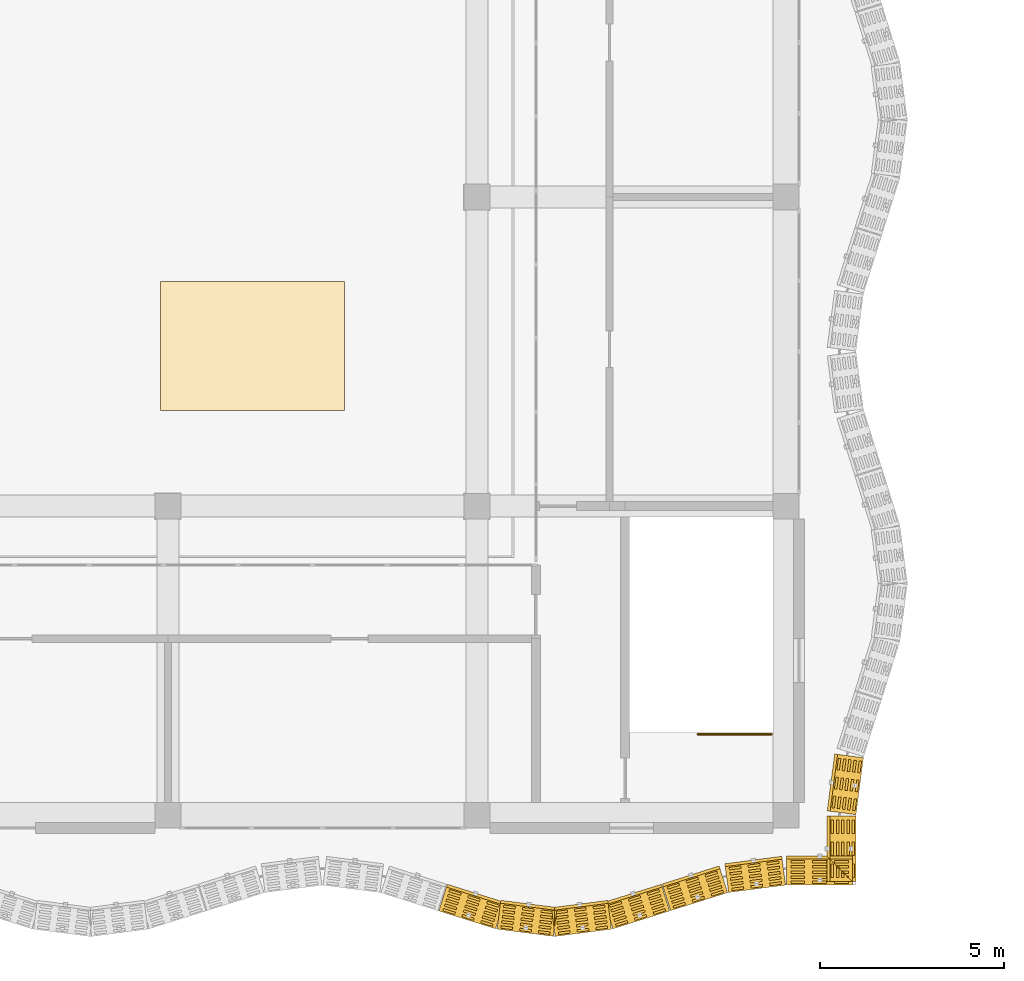
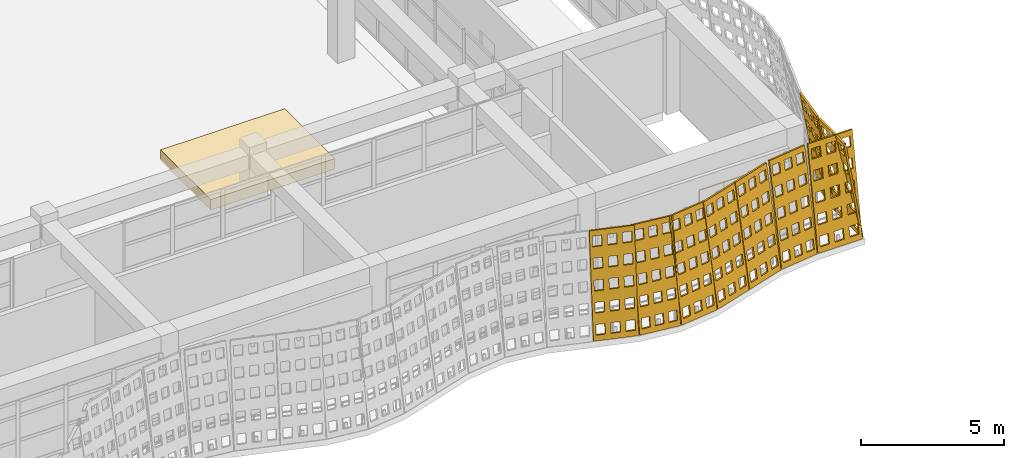
# One storey, part 76 of 85: 10 coverings, 1 railing.
"""IFC4 building model written with IfcOpenShell, lengths in metres."""

from ifc_helpers import new_model, si_unit, direction, frame, origin, origin_2d, place, context, subcontext, project, spatial, polyline, circle, outline, extrude, material, layer, layer_set, type_object, element, save


model = new_model("IFC4")

# Units and contexts
model_context = context("Model", 3, precision=1e-05, world=origin(), true_north=direction((0.0, 1.0)))
body_context = subcontext(model_context, "Body", "Model", "MODEL_VIEW")
ifc_project = project(units=[si_unit("LENGTHUNIT", "METRE"), si_unit("AREAUNIT", "SQUARE_METRE"), si_unit("VOLUMEUNIT", "CUBIC_METRE"), si_unit("PLANEANGLEUNIT", "RADIAN"), si_unit("MASSUNIT", "GRAM", prefix="KILO")], contexts=[model_context])

# Site, building, storey
site_placement = place(None, origin())
site = spatial("IfcSite", under=ifc_project, at=site_placement, CompositionType="ELEMENT")
building_placement = place(site_placement, origin())
building = spatial("IfcBuilding", under=site, at=building_placement, Name="Rain Tree Exposition and Congress Centre", CompositionType="ELEMENT")
storey_placement = place(building_placement, frame((0.0, 0.0, 15.0)))
storey = spatial("IfcBuildingStorey", under=building, at=storey_placement, Name="L03", CompositionType="ELEMENT", Elevation=15.0)

# Coverings
ifc_material_1 = material(Name="Perforated terracotta", Category="masonry")
ifc_layer_1 = layer(ifc_material_1, 0.080078125)
ifc_layer_set_1 = layer_set([ifc_layer_1], Name="Perforated terracotta")
covering_type_1 = type_object("IfcCoveringType", Name="Terracotta screen 80", PredefinedType="CLADDING", material=ifc_layer_set_1)
covering_1_placement = place(storey_placement, frame((40.95068359375, -2.598388671875, 0.0126953125), z_axis=(0.295717964052, 0.942029390639, -0.158529217842), x_axis=(-0.954094597562, 0.29950542383, 0.0)))
element("IfcCovering", 1, at=covering_1_placement, inside=storey, type_object=covering_type_1, Name="wing/screen/L03/027", PredefinedType="CLADDING", context=body_context, shape_type="SweptSolid", body=[
    extrude(outline(polyline([(-1.62890625, 0.0), (-1.62890625, 4.291259765625), (-0.014892578125, 4.291259765625), (-0.014892578125, 0.0), (-1.62890625, 0.0)]), holes=[polyline([(-0.1171875, 0.221435546875), (-0.1171875, 0.63671875), (-0.45068359375, 0.63671875), (-0.45068359375, 0.221435546875), (-0.1171875, 0.221435546875)]), polyline([(-0.1171875, 1.07958984375), (-0.1171875, 1.4951171875), (-0.45068359375, 1.4951171875), (-0.45068359375, 1.07958984375), (-0.1171875, 1.07958984375)]), polyline([(-0.1171875, 1.93798828125), (-0.1171875, 2.353271484375), (-0.45068359375, 2.353271484375), (-0.45068359375, 1.93798828125), (-0.1171875, 1.93798828125)]), polyline([(-0.1171875, 2.796142578125), (-0.1171875, 3.21142578125), (-0.45068359375, 3.21142578125), (-0.45068359375, 2.796142578125), (-0.1171875, 2.796142578125)]), polyline([(-0.1171875, 3.654541015625), (-0.1171875, 4.06982421875), (-0.45068359375, 4.06982421875), (-0.45068359375, 3.654541015625), (-0.1171875, 3.654541015625)]), polyline([(-0.6552734375, 0.221435546875), (-0.6552734375, 0.63671875), (-0.98876953125, 0.63671875), (-0.98876953125, 0.221435546875), (-0.6552734375, 0.221435546875)]), polyline([(-0.6552734375, 1.07958984375), (-0.6552734375, 1.4951171875), (-0.98876953125, 1.4951171875), (-0.98876953125, 1.07958984375), (-0.6552734375, 1.07958984375)]), polyline([(-0.6552734375, 1.93798828125), (-0.6552734375, 2.353271484375), (-0.98876953125, 2.353271484375), (-0.98876953125, 1.93798828125), (-0.6552734375, 1.93798828125)]), polyline([(-0.6552734375, 2.796142578125), (-0.6552734375, 3.21142578125), (-0.98876953125, 3.21142578125), (-0.98876953125, 2.796142578125), (-0.6552734375, 2.796142578125)]), polyline([(-0.6552734375, 3.654541015625), (-0.6552734375, 4.06982421875), (-0.98876953125, 4.06982421875), (-0.98876953125, 3.654541015625), (-0.6552734375, 3.654541015625)]), polyline([(-1.193115234375, 0.221435546875), (-1.193115234375, 0.63671875), (-1.526611328125, 0.63671875), (-1.526611328125, 0.221435546875), (-1.193115234375, 0.221435546875)]), polyline([(-1.193115234375, 1.07958984375), (-1.193115234375, 1.4951171875), (-1.526611328125, 1.4951171875), (-1.526611328125, 1.07958984375), (-1.193115234375, 1.07958984375)]), polyline([(-1.193115234375, 1.93798828125), (-1.193115234375, 2.353271484375), (-1.526611328125, 2.353271484375), (-1.526611328125, 1.93798828125), (-1.193115234375, 1.93798828125)]), polyline([(-1.193115234375, 2.796142578125), (-1.193115234375, 3.21142578125), (-1.526611328125, 3.21142578125), (-1.526611328125, 2.796142578125), (-1.193115234375, 2.796142578125)]), polyline([(-1.193115234375, 3.654541015625), (-1.193115234375, 4.06982421875), (-1.526611328125, 4.06982421875), (-1.526611328125, 3.654541015625), (-1.193115234375, 3.654541015625)])]), origin(), (0.0, 0.0, 1.0), 0.080078125),
])
covering_2_placement = place(storey_placement, frame((42.525390625, -3.093017578125, 0.01318359375), z_axis=(0.125342414455, 0.978282259159, -0.165085131233), x_axis=(-0.991891686382, 0.127086122318, 0.0)))
element("IfcCovering", 2, at=covering_2_placement, inside=storey, type_object=covering_type_1, Name="wing/screen/L03/028", PredefinedType="CLADDING", context=body_context, shape_type="SweptSolid", body=[
    extrude(outline(polyline([(-1.56298828125, 0.0), (-1.56298828125, 4.295166015625), (-0.02197265625, 4.295166015625), (-0.02197265625, 0.0), (-1.56298828125, 0.0)]), holes=[polyline([(-0.11962890625, 0.2216796875), (-0.11962890625, 0.63720703125), (-0.43798828125, 0.63720703125), (-0.43798828125, 0.2216796875), (-0.11962890625, 0.2216796875)]), polyline([(-0.11962890625, 1.080810546875), (-0.11962890625, 1.496337890625), (-0.43798828125, 1.496337890625), (-0.43798828125, 1.080810546875), (-0.11962890625, 1.080810546875)]), polyline([(-0.11962890625, 1.939697265625), (-0.11962890625, 2.35546875), (-0.43798828125, 2.35546875), (-0.43798828125, 1.939697265625), (-0.11962890625, 1.939697265625)]), polyline([(-0.11962890625, 2.798583984375), (-0.11962890625, 3.21435546875), (-0.43798828125, 3.21435546875), (-0.43798828125, 2.798583984375), (-0.11962890625, 2.798583984375)]), polyline([(-0.11962890625, 3.65771484375), (-0.11962890625, 4.073486328125), (-0.43798828125, 4.073486328125), (-0.43798828125, 3.65771484375), (-0.11962890625, 3.65771484375)]), polyline([(-0.63330078125, 0.2216796875), (-0.63330078125, 0.63720703125), (-0.95166015625, 0.63720703125), (-0.95166015625, 0.2216796875), (-0.63330078125, 0.2216796875)]), polyline([(-0.63330078125, 1.080810546875), (-0.63330078125, 1.496337890625), (-0.95166015625, 1.496337890625), (-0.95166015625, 1.080810546875), (-0.63330078125, 1.080810546875)]), polyline([(-0.63330078125, 1.939697265625), (-0.63330078125, 2.35546875), (-0.95166015625, 2.35546875), (-0.95166015625, 1.939697265625), (-0.63330078125, 1.939697265625)]), polyline([(-0.63330078125, 2.798583984375), (-0.63330078125, 3.21435546875), (-0.95166015625, 3.21435546875), (-0.95166015625, 2.798583984375), (-0.63330078125, 2.798583984375)]), polyline([(-0.63330078125, 3.65771484375), (-0.63330078125, 4.073486328125), (-0.95166015625, 4.073486328125), (-0.95166015625, 3.65771484375), (-0.63330078125, 3.65771484375)]), polyline([(-1.146728515625, 0.2216796875), (-1.146728515625, 0.63720703125), (-1.46533203125, 0.63720703125), (-1.46533203125, 0.2216796875), (-1.146728515625, 0.2216796875)]), polyline([(-1.146728515625, 1.080810546875), (-1.146728515625, 1.496337890625), (-1.46533203125, 1.496337890625), (-1.46533203125, 1.080810546875), (-1.146728515625, 1.080810546875)]), polyline([(-1.146728515625, 1.939697265625), (-1.146728515625, 2.35546875), (-1.46533203125, 2.35546875), (-1.46533203125, 1.939697265625), (-1.146728515625, 1.939697265625)]), polyline([(-1.146728515625, 2.798583984375), (-1.146728515625, 3.21435546875), (-1.46533203125, 3.21435546875), (-1.46533203125, 2.798583984375), (-1.146728515625, 2.798583984375)]), polyline([(-1.146728515625, 3.65771484375), (-1.146728515625, 4.073486328125), (-1.46533203125, 4.073486328125), (-1.46533203125, 3.65771484375), (-1.146728515625, 3.65771484375)])]), origin(), (0.0, 0.0, 1.0), 0.079833984375),
])
covering_3_placement = place(storey_placement, frame((44.099609375, -3.298095703125, 0.01318359375), z_axis=(-0.125342414455, 0.978282259159, -0.165085131233), x_axis=(-0.991891686382, -0.127086122318, 0.0)))
element("IfcCovering", 3, at=covering_3_placement, inside=storey, type_object=covering_type_1, Name="wing/screen/L03/029", PredefinedType="CLADDING", context=body_context, shape_type="SweptSolid", body=[
    extrude(outline(polyline([(-1.56640625, 0.0), (-1.56640625, 4.295166015625), (-0.025390625, 4.295166015625), (-0.025390625, 0.0), (-1.56640625, 0.0)]), holes=[polyline([(-0.123046875, 0.2216796875), (-0.123046875, 0.63720703125), (-0.44140625, 0.63720703125), (-0.44140625, 0.2216796875), (-0.123046875, 0.2216796875)]), polyline([(-0.123046875, 1.080810546875), (-0.123046875, 1.496337890625), (-0.44140625, 1.496337890625), (-0.44140625, 1.080810546875), (-0.123046875, 1.080810546875)]), polyline([(-0.123046875, 1.939697265625), (-0.123046875, 2.35546875), (-0.44140625, 2.35546875), (-0.44140625, 1.939697265625), (-0.123046875, 1.939697265625)]), polyline([(-0.123046875, 2.798583984375), (-0.123046875, 3.21435546875), (-0.44140625, 3.21435546875), (-0.44140625, 2.798583984375), (-0.123046875, 2.798583984375)]), polyline([(-0.123046875, 3.65771484375), (-0.123046875, 4.073486328125), (-0.44140625, 4.073486328125), (-0.44140625, 3.65771484375), (-0.123046875, 3.65771484375)]), polyline([(-0.63671875, 0.2216796875), (-0.63671875, 0.63720703125), (-0.955078125, 0.63720703125), (-0.955078125, 0.2216796875), (-0.63671875, 0.2216796875)]), polyline([(-0.63671875, 1.080810546875), (-0.63671875, 1.496337890625), (-0.955078125, 1.496337890625), (-0.955078125, 1.080810546875), (-0.63671875, 1.080810546875)]), polyline([(-0.63671875, 1.939697265625), (-0.63671875, 2.35546875), (-0.955078125, 2.35546875), (-0.955078125, 1.939697265625), (-0.63671875, 1.939697265625)]), polyline([(-0.63671875, 2.798583984375), (-0.63671875, 3.21435546875), (-0.955078125, 3.21435546875), (-0.955078125, 2.798583984375), (-0.63671875, 2.798583984375)]), polyline([(-0.63671875, 3.65771484375), (-0.63671875, 4.073486328125), (-0.955078125, 4.073486328125), (-0.955078125, 3.65771484375), (-0.63671875, 3.65771484375)]), polyline([(-1.150146484375, 0.2216796875), (-1.150146484375, 0.63720703125), (-1.46875, 0.63720703125), (-1.46875, 0.2216796875), (-1.150146484375, 0.2216796875)]), polyline([(-1.150146484375, 1.080810546875), (-1.150146484375, 1.496337890625), (-1.46875, 1.496337890625), (-1.46875, 1.080810546875), (-1.150146484375, 1.080810546875)]), polyline([(-1.150146484375, 1.939697265625), (-1.150146484375, 2.35546875), (-1.46875, 2.35546875), (-1.46875, 1.939697265625), (-1.150146484375, 1.939697265625)]), polyline([(-1.150146484375, 2.798583984375), (-1.150146484375, 3.21435546875), (-1.46875, 3.21435546875), (-1.46875, 2.798583984375), (-1.150146484375, 2.798583984375)]), polyline([(-1.150146484375, 3.65771484375), (-1.150146484375, 4.073486328125), (-1.46875, 4.073486328125), (-1.46875, 3.65771484375), (-1.150146484375, 3.65771484375)])]), origin(), (0.0, 0.0, 1.0), 0.079833984375),
])
covering_4_placement = place(storey_placement, frame((45.67431640625, -3.093505859375, 0.0126953125), z_axis=(-0.295717964052, 0.942029390639, -0.158529217842), x_axis=(-0.954094597562, -0.29950542383, 0.0)))
element("IfcCovering", 4, at=covering_4_placement, inside=storey, type_object=covering_type_1, Name="wing/screen/L03/030", PredefinedType="CLADDING", context=body_context, shape_type="SweptSolid", body=[
    extrude(outline(polyline([(-1.635986328125, 0.0), (-1.635986328125, 4.291259765625), (-0.02197265625, 4.291259765625), (-0.02197265625, 0.0), (-1.635986328125, 0.0)]), holes=[polyline([(-0.124267578125, 0.221435546875), (-0.124267578125, 0.63671875), (-0.457763671875, 0.63671875), (-0.457763671875, 0.221435546875), (-0.124267578125, 0.221435546875)]), polyline([(-0.124267578125, 1.07958984375), (-0.124267578125, 1.4951171875), (-0.457763671875, 1.4951171875), (-0.457763671875, 1.07958984375), (-0.124267578125, 1.07958984375)]), polyline([(-0.124267578125, 1.93798828125), (-0.124267578125, 2.353271484375), (-0.457763671875, 2.353271484375), (-0.457763671875, 1.93798828125), (-0.124267578125, 1.93798828125)]), polyline([(-0.124267578125, 2.796142578125), (-0.124267578125, 3.21142578125), (-0.457763671875, 3.21142578125), (-0.457763671875, 2.796142578125), (-0.124267578125, 2.796142578125)]), polyline([(-0.124267578125, 3.654541015625), (-0.124267578125, 4.06982421875), (-0.457763671875, 4.06982421875), (-0.457763671875, 3.654541015625), (-0.124267578125, 3.654541015625)]), polyline([(-0.662109375, 0.221435546875), (-0.662109375, 0.63671875), (-0.995849609375, 0.63671875), (-0.995849609375, 0.221435546875), (-0.662109375, 0.221435546875)]), polyline([(-0.662109375, 1.07958984375), (-0.662109375, 1.4951171875), (-0.995849609375, 1.4951171875), (-0.995849609375, 1.07958984375), (-0.662109375, 1.07958984375)]), polyline([(-0.662109375, 1.93798828125), (-0.662109375, 2.353271484375), (-0.995849609375, 2.353271484375), (-0.995849609375, 1.93798828125), (-0.662109375, 1.93798828125)]), polyline([(-0.662109375, 2.796142578125), (-0.662109375, 3.21142578125), (-0.995849609375, 3.21142578125), (-0.995849609375, 2.796142578125), (-0.662109375, 2.796142578125)]), polyline([(-0.662109375, 3.654541015625), (-0.662109375, 4.06982421875), (-0.995849609375, 4.06982421875), (-0.995849609375, 3.654541015625), (-0.662109375, 3.654541015625)]), polyline([(-1.2001953125, 0.221435546875), (-1.2001953125, 0.63671875), (-1.53369140625, 0.63671875), (-1.53369140625, 0.221435546875), (-1.2001953125, 0.221435546875)]), polyline([(-1.2001953125, 1.07958984375), (-1.2001953125, 1.4951171875), (-1.53369140625, 1.4951171875), (-1.53369140625, 1.07958984375), (-1.2001953125, 1.07958984375)]), polyline([(-1.2001953125, 1.93798828125), (-1.2001953125, 2.353271484375), (-1.53369140625, 2.353271484375), (-1.53369140625, 1.93798828125), (-1.2001953125, 1.93798828125)]), polyline([(-1.2001953125, 2.796142578125), (-1.2001953125, 3.21142578125), (-1.53369140625, 3.21142578125), (-1.53369140625, 2.796142578125), (-1.2001953125, 2.796142578125)]), polyline([(-1.2001953125, 3.654541015625), (-1.2001953125, 4.06982421875), (-1.53369140625, 4.06982421875), (-1.53369140625, 3.654541015625), (-1.2001953125, 3.654541015625)])]), origin(), (0.0, 0.0, 1.0), 0.080078125),
])
covering_5_placement = place(storey_placement, frame((47.24951171875, -2.598388671875, 0.0126953125), z_axis=(-0.298496232686, 0.941176896939, -0.158385756119), x_axis=(-0.953208958144, -0.302312226207, 0.0)))
element("IfcCovering", 5, at=covering_5_placement, inside=storey, type_object=covering_type_1, Name="wing/screen/L03/031", PredefinedType="CLADDING", context=body_context, shape_type="SweptSolid", body=[
    extrude(outline(polyline([(-1.635986328125, 0.0), (-1.635986328125, 4.291259765625), (-0.014892578125, 4.291259765625), (-0.014892578125, 0.0), (-1.635986328125, 0.0)]), holes=[polyline([(-0.11767578125, 0.221435546875), (-0.11767578125, 0.63671875), (-0.45263671875, 0.63671875), (-0.45263671875, 0.221435546875), (-0.11767578125, 0.221435546875)]), polyline([(-0.11767578125, 1.07958984375), (-0.11767578125, 1.4951171875), (-0.45263671875, 1.4951171875), (-0.45263671875, 1.07958984375), (-0.11767578125, 1.07958984375)]), polyline([(-0.11767578125, 1.93798828125), (-0.11767578125, 2.353271484375), (-0.45263671875, 2.353271484375), (-0.45263671875, 1.93798828125), (-0.11767578125, 1.93798828125)]), polyline([(-0.11767578125, 2.796142578125), (-0.11767578125, 3.21142578125), (-0.45263671875, 3.21142578125), (-0.45263671875, 2.796142578125), (-0.11767578125, 2.796142578125)]), polyline([(-0.11767578125, 3.654541015625), (-0.11767578125, 4.06982421875), (-0.45263671875, 4.06982421875), (-0.45263671875, 3.654541015625), (-0.11767578125, 3.654541015625)]), polyline([(-0.657958984375, 0.221435546875), (-0.657958984375, 0.63671875), (-0.992919921875, 0.63671875), (-0.992919921875, 0.221435546875), (-0.657958984375, 0.221435546875)]), polyline([(-0.657958984375, 1.07958984375), (-0.657958984375, 1.4951171875), (-0.992919921875, 1.4951171875), (-0.992919921875, 1.07958984375), (-0.657958984375, 1.07958984375)]), polyline([(-0.657958984375, 1.93798828125), (-0.657958984375, 2.353271484375), (-0.992919921875, 2.353271484375), (-0.992919921875, 1.93798828125), (-0.657958984375, 1.93798828125)]), polyline([(-0.657958984375, 2.796142578125), (-0.657958984375, 3.21142578125), (-0.992919921875, 3.21142578125), (-0.992919921875, 2.796142578125), (-0.657958984375, 2.796142578125)]), polyline([(-0.657958984375, 3.654541015625), (-0.657958984375, 4.06982421875), (-0.992919921875, 4.06982421875), (-0.992919921875, 3.654541015625), (-0.657958984375, 3.654541015625)]), polyline([(-1.1982421875, 0.221435546875), (-1.1982421875, 0.63671875), (-1.533203125, 0.63671875), (-1.533203125, 0.221435546875), (-1.1982421875, 0.221435546875)]), polyline([(-1.1982421875, 1.07958984375), (-1.1982421875, 1.4951171875), (-1.533203125, 1.4951171875), (-1.533203125, 1.07958984375), (-1.1982421875, 1.07958984375)]), polyline([(-1.1982421875, 1.93798828125), (-1.1982421875, 2.353271484375), (-1.533203125, 2.353271484375), (-1.533203125, 1.93798828125), (-1.1982421875, 1.93798828125)]), polyline([(-1.1982421875, 2.796142578125), (-1.1982421875, 3.21142578125), (-1.533203125, 3.21142578125), (-1.533203125, 2.796142578125), (-1.1982421875, 2.796142578125)]), polyline([(-1.1982421875, 3.654541015625), (-1.1982421875, 4.06982421875), (-1.533203125, 4.06982421875), (-1.533203125, 3.654541015625), (-1.1982421875, 3.654541015625)])]), origin(), (0.0, 0.0, 1.0), 0.080078125),
])
covering_6_placement = place(storey_placement, frame((48.82470703125, -2.10302734375, 0.01318359375), z_axis=(-0.128349774249, 0.9779030419, -0.165021138321), x_axis=(-0.991496427865, -0.130133906157, 0.0)))
element("IfcCovering", 6, at=covering_6_placement, inside=storey, type_object=covering_type_1, Name="wing/screen/L03/032", PredefinedType="CLADDING", context=body_context, shape_type="SweptSolid", body=[
    extrude(outline(polyline([(-1.5732421875, 0.0), (-1.5732421875, 4.295166015625), (-0.014892578125, 4.295166015625), (-0.014892578125, 0.0), (-1.5732421875, 0.0)]), holes=[polyline([(-0.11376953125, 0.2216796875), (-0.11376953125, 0.63720703125), (-0.435791015625, 0.63720703125), (-0.435791015625, 0.2216796875), (-0.11376953125, 0.2216796875)]), polyline([(-0.11376953125, 1.080810546875), (-0.11376953125, 1.496337890625), (-0.435791015625, 1.496337890625), (-0.435791015625, 1.080810546875), (-0.11376953125, 1.080810546875)]), polyline([(-0.11376953125, 1.939697265625), (-0.11376953125, 2.35546875), (-0.435791015625, 2.35546875), (-0.435791015625, 1.939697265625), (-0.11376953125, 1.939697265625)]), polyline([(-0.11376953125, 2.798583984375), (-0.11376953125, 3.21435546875), (-0.435791015625, 3.21435546875), (-0.435791015625, 2.798583984375), (-0.11376953125, 2.798583984375)]), polyline([(-0.11376953125, 3.65771484375), (-0.11376953125, 4.073486328125), (-0.435791015625, 4.073486328125), (-0.435791015625, 3.65771484375), (-0.11376953125, 3.65771484375)]), polyline([(-0.633056640625, 0.2216796875), (-0.633056640625, 0.63720703125), (-0.955078125, 0.63720703125), (-0.955078125, 0.2216796875), (-0.633056640625, 0.2216796875)]), polyline([(-0.633056640625, 1.080810546875), (-0.633056640625, 1.496337890625), (-0.955078125, 1.496337890625), (-0.955078125, 1.080810546875), (-0.633056640625, 1.080810546875)]), polyline([(-0.633056640625, 1.939697265625), (-0.633056640625, 2.35546875), (-0.955078125, 2.35546875), (-0.955078125, 1.939697265625), (-0.633056640625, 1.939697265625)]), polyline([(-0.633056640625, 2.798583984375), (-0.633056640625, 3.21435546875), (-0.955078125, 3.21435546875), (-0.955078125, 2.798583984375), (-0.633056640625, 2.798583984375)]), polyline([(-0.633056640625, 3.65771484375), (-0.633056640625, 4.073486328125), (-0.955078125, 4.073486328125), (-0.955078125, 3.65771484375), (-0.633056640625, 3.65771484375)]), polyline([(-1.152587890625, 0.2216796875), (-1.152587890625, 0.63720703125), (-1.474609375, 0.63720703125), (-1.474609375, 0.2216796875), (-1.152587890625, 0.2216796875)]), polyline([(-1.152587890625, 1.080810546875), (-1.152587890625, 1.496337890625), (-1.474609375, 1.496337890625), (-1.474609375, 1.080810546875), (-1.152587890625, 1.080810546875)]), polyline([(-1.152587890625, 1.939697265625), (-1.152587890625, 2.35546875), (-1.474609375, 2.35546875), (-1.474609375, 1.939697265625), (-1.152587890625, 1.939697265625)]), polyline([(-1.152587890625, 2.798583984375), (-1.152587890625, 3.21435546875), (-1.474609375, 3.21435546875), (-1.474609375, 2.798583984375), (-1.152587890625, 2.798583984375)]), polyline([(-1.152587890625, 3.65771484375), (-1.152587890625, 4.073486328125), (-1.474609375, 4.073486328125), (-1.474609375, 3.65771484375), (-1.152587890625, 3.65771484375)])]), origin(), (0.0, 0.0, 1.0), 0.079833984375),
])
covering_7_placement = place(storey_placement, frame((50.39990234375, -1.898193359375, 0.01318359375), z_axis=(0.0, 0.986393923832, -0.164398987305), x_axis=(-1.0, 0.0, 0.0)))
element("IfcCovering", 7, at=covering_7_placement, inside=storey, type_object=covering_type_1, Name="wing/screen/L03/033", PredefinedType="CLADDING", context=body_context, shape_type="SweptSolid", body=[
    extrude(outline(polyline([(-1.805419921875, 0.0), (-1.805419921875, 4.2958984375), (-0.014892578125, 4.2958984375), (-0.014892578125, 0.0), (-1.805419921875, 0.0)]), holes=[polyline([(-0.12841796875, 0.2216796875), (-0.12841796875, 0.637451171875), (-0.498291015625, 0.637451171875), (-0.498291015625, 0.2216796875), (-0.12841796875, 0.2216796875)]), polyline([(-0.12841796875, 1.080810546875), (-0.12841796875, 1.49658203125), (-0.498291015625, 1.49658203125), (-0.498291015625, 1.080810546875), (-0.12841796875, 1.080810546875)]), polyline([(-0.12841796875, 1.940185546875), (-0.12841796875, 2.355712890625), (-0.498291015625, 2.355712890625), (-0.498291015625, 1.940185546875), (-0.12841796875, 1.940185546875)]), polyline([(-0.12841796875, 2.79931640625), (-0.12841796875, 3.215087890625), (-0.498291015625, 3.215087890625), (-0.498291015625, 2.79931640625), (-0.12841796875, 2.79931640625)]), polyline([(-0.12841796875, 3.658447265625), (-0.12841796875, 4.07421875), (-0.498291015625, 4.07421875), (-0.498291015625, 3.658447265625), (-0.12841796875, 3.658447265625)]), polyline([(-0.72509765625, 0.2216796875), (-0.72509765625, 0.637451171875), (-1.09521484375, 0.637451171875), (-1.09521484375, 0.2216796875), (-0.72509765625, 0.2216796875)]), polyline([(-0.72509765625, 1.080810546875), (-0.72509765625, 1.49658203125), (-1.09521484375, 1.49658203125), (-1.09521484375, 1.080810546875), (-0.72509765625, 1.080810546875)]), polyline([(-0.72509765625, 1.940185546875), (-0.72509765625, 2.355712890625), (-1.09521484375, 2.355712890625), (-1.09521484375, 1.940185546875), (-0.72509765625, 1.940185546875)]), polyline([(-0.72509765625, 2.79931640625), (-0.72509765625, 3.215087890625), (-1.09521484375, 3.215087890625), (-1.09521484375, 2.79931640625), (-0.72509765625, 2.79931640625)]), polyline([(-0.72509765625, 3.658447265625), (-0.72509765625, 4.07421875), (-1.09521484375, 4.07421875), (-1.09521484375, 3.658447265625), (-0.72509765625, 3.658447265625)]), polyline([(-1.322021484375, 0.2216796875), (-1.322021484375, 0.637451171875), (-1.69189453125, 0.637451171875), (-1.69189453125, 0.2216796875), (-1.322021484375, 0.2216796875)]), polyline([(-1.322021484375, 1.080810546875), (-1.322021484375, 1.49658203125), (-1.69189453125, 1.49658203125), (-1.69189453125, 1.080810546875), (-1.322021484375, 1.080810546875)]), polyline([(-1.322021484375, 1.940185546875), (-1.322021484375, 2.355712890625), (-1.69189453125, 2.355712890625), (-1.69189453125, 1.940185546875), (-1.322021484375, 1.940185546875)]), polyline([(-1.322021484375, 2.79931640625), (-1.322021484375, 3.215087890625), (-1.69189453125, 3.215087890625), (-1.69189453125, 2.79931640625), (-1.322021484375, 2.79931640625)]), polyline([(-1.322021484375, 3.658447265625), (-1.322021484375, 4.07421875), (-1.69189453125, 4.07421875), (-1.69189453125, 3.658447265625), (-1.322021484375, 3.658447265625)])]), origin(), (0.0, 0.0, 1.0), 0.080078125),
])
covering_8_placement = place(storey_placement, frame((52.298095703125, -1.900390625, 0.01318359375), z_axis=(-0.986311269939, 0.0, -0.1648941442), x_axis=(0.0, -1.0, 0.0)))
element("IfcCovering", 8, at=covering_8_placement, inside=storey, type_object=covering_type_1, Name="wing/screen/L03/034", PredefinedType="CLADDING", context=body_context, shape_type="SweptSolid", body=[
    extrude(outline(polyline([(-1.88525390625, 0.0), (-1.88525390625, 4.2958984375), (-0.094970703125, 4.2958984375), (-0.094970703125, 0.0), (-1.88525390625, 0.0)]), holes=[polyline([(-0.20849609375, 0.2216796875), (-0.20849609375, 0.637451171875), (-0.578369140625, 0.637451171875), (-0.578369140625, 0.2216796875), (-0.20849609375, 0.2216796875)]), polyline([(-0.20849609375, 1.080810546875), (-0.20849609375, 1.49658203125), (-0.578369140625, 1.49658203125), (-0.578369140625, 1.080810546875), (-0.20849609375, 1.080810546875)]), polyline([(-0.20849609375, 1.940185546875), (-0.20849609375, 2.355712890625), (-0.578369140625, 2.355712890625), (-0.578369140625, 1.940185546875), (-0.20849609375, 1.940185546875)]), polyline([(-0.20849609375, 2.79931640625), (-0.20849609375, 3.215087890625), (-0.578369140625, 3.215087890625), (-0.578369140625, 2.79931640625), (-0.20849609375, 2.79931640625)]), polyline([(-0.20849609375, 3.658447265625), (-0.20849609375, 4.07421875), (-0.578369140625, 4.07421875), (-0.578369140625, 3.658447265625), (-0.20849609375, 3.658447265625)]), polyline([(-0.80517578125, 0.2216796875), (-0.80517578125, 0.637451171875), (-1.175048828125, 0.637451171875), (-1.175048828125, 0.2216796875), (-0.80517578125, 0.2216796875)]), polyline([(-0.80517578125, 1.080810546875), (-0.80517578125, 1.49658203125), (-1.175048828125, 1.49658203125), (-1.175048828125, 1.080810546875), (-0.80517578125, 1.080810546875)]), polyline([(-0.80517578125, 1.940185546875), (-0.80517578125, 2.355712890625), (-1.175048828125, 2.355712890625), (-1.175048828125, 1.940185546875), (-0.80517578125, 1.940185546875)]), polyline([(-0.80517578125, 2.79931640625), (-0.80517578125, 3.215087890625), (-1.175048828125, 3.215087890625), (-1.175048828125, 2.79931640625), (-0.80517578125, 2.79931640625)]), polyline([(-0.80517578125, 3.658447265625), (-0.80517578125, 4.07421875), (-1.175048828125, 4.07421875), (-1.175048828125, 3.658447265625), (-0.80517578125, 3.658447265625)]), polyline([(-1.40185546875, 0.2216796875), (-1.40185546875, 0.637451171875), (-1.77197265625, 0.637451171875), (-1.77197265625, 0.2216796875), (-1.40185546875, 0.2216796875)]), polyline([(-1.40185546875, 1.080810546875), (-1.40185546875, 1.49658203125), (-1.77197265625, 1.49658203125), (-1.77197265625, 1.080810546875), (-1.40185546875, 1.080810546875)]), polyline([(-1.40185546875, 1.940185546875), (-1.40185546875, 2.355712890625), (-1.77197265625, 2.355712890625), (-1.77197265625, 1.940185546875), (-1.40185546875, 1.940185546875)]), polyline([(-1.40185546875, 2.79931640625), (-1.40185546875, 3.215087890625), (-1.77197265625, 3.215087890625), (-1.77197265625, 2.79931640625), (-1.40185546875, 2.79931640625)]), polyline([(-1.40185546875, 3.658447265625), (-1.40185546875, 4.07421875), (-1.77197265625, 4.07421875), (-1.77197265625, 3.658447265625), (-1.40185546875, 3.658447265625)])]), origin(), (0.0, 0.0, 1.0), 0.079833984375),
])
covering_9_placement = place(storey_placement, frame((52.298095703125, 0.000244140625, 0.01318359375), z_axis=(-0.9779030419, 0.128349774249, -0.165021138321), x_axis=(-0.130133906157, -0.991496427865, 0.0)))
element("IfcCovering", 9, at=covering_9_placement, inside=storey, type_object=covering_type_1, Name="wing/screen/L03/035", PredefinedType="CLADDING", context=body_context, shape_type="SweptSolid", body=[
    extrude(outline(polyline([(-1.5732421875, 0.0), (-1.5732421875, 4.295166015625), (-0.014892578125, 4.295166015625), (-0.014892578125, 0.0), (-1.5732421875, 0.0)]), holes=[polyline([(-0.11376953125, 0.2216796875), (-0.11376953125, 0.63720703125), (-0.435791015625, 0.63720703125), (-0.435791015625, 0.2216796875), (-0.11376953125, 0.2216796875)]), polyline([(-0.11376953125, 1.080810546875), (-0.11376953125, 1.496337890625), (-0.435791015625, 1.496337890625), (-0.435791015625, 1.080810546875), (-0.11376953125, 1.080810546875)]), polyline([(-0.11376953125, 1.939697265625), (-0.11376953125, 2.35546875), (-0.435791015625, 2.35546875), (-0.435791015625, 1.939697265625), (-0.11376953125, 1.939697265625)]), polyline([(-0.11376953125, 2.798583984375), (-0.11376953125, 3.21435546875), (-0.435791015625, 3.21435546875), (-0.435791015625, 2.798583984375), (-0.11376953125, 2.798583984375)]), polyline([(-0.11376953125, 3.65771484375), (-0.11376953125, 4.073486328125), (-0.435791015625, 4.073486328125), (-0.435791015625, 3.65771484375), (-0.11376953125, 3.65771484375)]), polyline([(-0.633056640625, 0.2216796875), (-0.633056640625, 0.63720703125), (-0.955078125, 0.63720703125), (-0.955078125, 0.2216796875), (-0.633056640625, 0.2216796875)]), polyline([(-0.633056640625, 1.080810546875), (-0.633056640625, 1.496337890625), (-0.955078125, 1.496337890625), (-0.955078125, 1.080810546875), (-0.633056640625, 1.080810546875)]), polyline([(-0.633056640625, 1.939697265625), (-0.633056640625, 2.35546875), (-0.955078125, 2.35546875), (-0.955078125, 1.939697265625), (-0.633056640625, 1.939697265625)]), polyline([(-0.633056640625, 2.798583984375), (-0.633056640625, 3.21435546875), (-0.955078125, 3.21435546875), (-0.955078125, 2.798583984375), (-0.633056640625, 2.798583984375)]), polyline([(-0.633056640625, 3.65771484375), (-0.633056640625, 4.073486328125), (-0.955078125, 4.073486328125), (-0.955078125, 3.65771484375), (-0.633056640625, 3.65771484375)]), polyline([(-1.152587890625, 0.2216796875), (-1.152587890625, 0.63720703125), (-1.474609375, 0.63720703125), (-1.474609375, 0.2216796875), (-1.152587890625, 0.2216796875)]), polyline([(-1.152587890625, 1.080810546875), (-1.152587890625, 1.496337890625), (-1.474609375, 1.496337890625), (-1.474609375, 1.080810546875), (-1.152587890625, 1.080810546875)]), polyline([(-1.152587890625, 1.939697265625), (-1.152587890625, 2.35546875), (-1.474609375, 2.35546875), (-1.474609375, 1.939697265625), (-1.152587890625, 1.939697265625)]), polyline([(-1.152587890625, 2.798583984375), (-1.152587890625, 3.21435546875), (-1.474609375, 3.21435546875), (-1.474609375, 2.798583984375), (-1.152587890625, 2.798583984375)]), polyline([(-1.152587890625, 3.65771484375), (-1.152587890625, 4.073486328125), (-1.474609375, 4.073486328125), (-1.474609375, 3.65771484375), (-1.152587890625, 3.65771484375)])]), origin(), (0.0, 0.0, 1.0), 0.079833984375),
])
ifc_material_2 = material(Name="Planting soil", Category="soil")
ifc_layer_2 = layer(ifc_material_2, 0.449951171875)
ifc_layer_set_2 = layer_set([ifc_layer_2], Name="Planting soil")
covering_type_2 = type_object("IfcCoveringType", Name="Wing court planting bed 450", PredefinedType="FLOORING", material=ifc_layer_set_2)
covering_10_placement = place(storey_placement, origin())
element("IfcCovering", 10, at=covering_10_placement, inside=storey, type_object=covering_type_2, Name="Planting bed 2", PredefinedType="FLOORING", context=body_context, shape_type="SweptSolid", body=[
    extrude(outline(polyline([(33.39990234375, 11.0), (38.39990234375, 11.0), (38.39990234375, 14.5), (33.39990234375, 14.5), (33.39990234375, 11.0)])), origin(), (0.0, 0.0, 1.0), 0.449951171875),
])

# Railing
ifc_material_3 = material(Name="Steel S355J2H", Category="steel")
railing_type = type_object("IfcRailingType", Name="Wing stair guard 1100", PredefinedType="GUARDRAIL", material=ifc_material_3)
railing_placement = place(storey_placement, frame((50.0, 2.199951171875, 0.0)))
element("IfcRailing", 11, at=railing_placement, inside=storey, type_object=railing_type, Name="L03 ST-W2 top well guard 1", PredefinedType="GUARDRAIL", context=body_context, shape_type="SweptSolid", body=[
    extrude(circle(Radius=0.02392578125, at=origin_2d()), frame((0.0, 0.0, 1.076171875), z_axis=(-1.0, 0.0, 0.0), x_axis=(0.0, -1.0, 0.0)), (0.0, 0.0, 1.0), 2.0),
    extrude(circle(Radius=0.02099609375, at=origin_2d()), origin(), (0.0, 0.0, 1.0), 1.052001953125),
    extrude(circle(Radius=0.02099609375, at=origin_2d()), frame((-1.0, 0.0, 0.0)), (0.0, 0.0, 1.0), 1.052001953125),
    extrude(circle(Radius=0.02099609375, at=origin_2d()), frame((-2.0, 0.0, 0.0)), (0.0, 0.0, 1.0), 1.052001953125),
])

save(model, "model.ifc")
